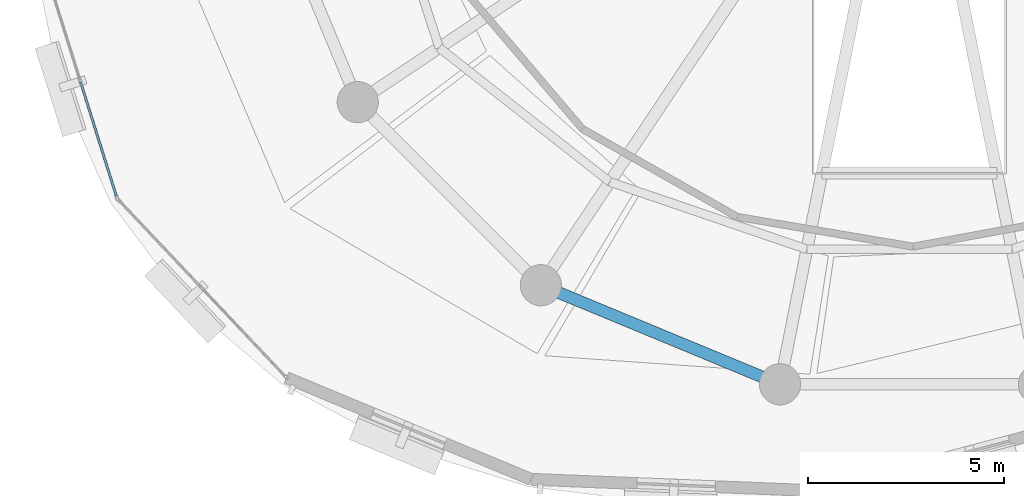
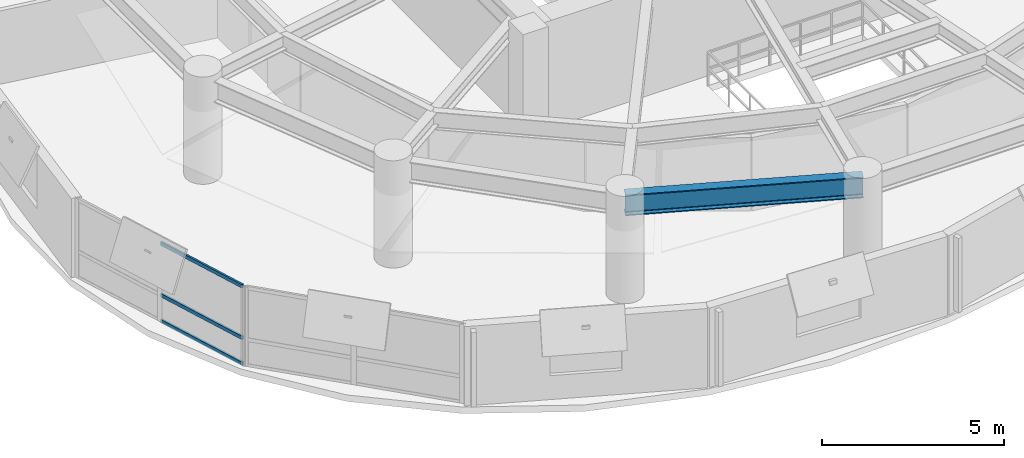
# One storey, part 3 of 14: 3 members, 1 beam, 1 element without a shape of its own.
"""IFC4 building model written with IfcOpenShell, lengths in metres."""

from ifc_helpers import new_model, si_unit, direction, frame, origin, origin_2d, place, context, subcontext, project, spatial, hollow_rectangle, i_section, extrude, material, layer, layer_set, material_profile, profile_set, type_object, element, aggregate, save


model = new_model("IFC4")

# Units and contexts
model_context = context("Model", 3, precision=1e-05, world=origin(), true_north=direction((0.0, 1.0)))
body_context = subcontext(model_context, "Body", "Model", "MODEL_VIEW")
ifc_project = project(units=[si_unit("LENGTHUNIT", "METRE"), si_unit("AREAUNIT", "SQUARE_METRE"), si_unit("VOLUMEUNIT", "CUBIC_METRE"), si_unit("PLANEANGLEUNIT", "RADIAN"), si_unit("MASSUNIT", "GRAM", prefix="KILO"), si_unit("THERMODYNAMICTEMPERATUREUNIT", "KELVIN"), si_unit("POWERUNIT", "WATT")], contexts=[model_context])

# Site, building, storey
site_placement = place(None, origin())
site = spatial("IfcSite", under=ifc_project, at=site_placement, CompositionType="ELEMENT")
building_placement = place(site_placement, origin())
building = spatial("IfcBuilding", under=site, at=building_placement, Name="Ocrelia Relay Tower", CompositionType="ELEMENT")
storey_placement = place(building_placement, frame((0.0, 0.0, 162.800048828125)))
storey = spatial("IfcBuildingStorey", under=building, at=storey_placement, Name="L38", CompositionType="ELEMENT", Elevation=162.800048828125)

# Beam
ifc_material_1 = material(Name="Steel S355", Category="steel")
ifc_material_profile_1 = material_profile(ifc_material_1, i_section(OverallWidth=0.300048828125, OverallDepth=0.699951171875, WebThickness=0.01708984375, FlangeThickness=0.031982421875, FilletRadius=0.027099609375, at=origin_2d()), Name="HEB 700")
ifc_profile_set_1 = profile_set([ifc_material_profile_1], Name="Steel S355")
beam_type = type_object("IfcBeamType", Name="BM-HEB700", PredefinedType="BEAM", material=ifc_profile_set_1)
beam_placement = place(storey_placement, frame((24.61083984375, 11.9482421875, 3.030029296875), z_axis=(0.923877844151, -0.382687508402, 0.0), x_axis=(0.382687508402, 0.923877844151, 0.0)))
element("IfcBeam", 1, at=beam_placement, inside=storey, type_object=beam_type, Name="L38 Perimeter Spandrel Beam S11", PredefinedType="BEAM", context=body_context, shape_type="SweptSolid", body=[
    extrude(i_section(OverallWidth=0.300048828125, OverallDepth=0.699951171875, WebThickness=0.01708984375, FlangeThickness=0.031982421875, FilletRadius=0.027099609375, at=origin_2d()), origin(), (0.0, 0.0, 1.0), 6.593994140625),
])

# Curtain wall, members
ifc_material_2 = material(Name="Aluminium and solar-control low-E glass", Category="aluminium")
ifc_layer = layer(ifc_material_2, 0.179931640625, Name="Aluminium and solar-control low-E glass")
ifc_layer_set = layer_set([ifc_layer], Name="Aluminium and solar-control low-E glass")
curtain_wall_type = type_object("IfcCurtainWallType", Name="CW-SYS-Z3-CLOU", PredefinedType="NOTDEFINED", material=ifc_layer_set)
curtain_wall_placement = place(storey_placement, origin())
curtain_wall = element("IfcCurtainWall", 2, at=curtain_wall_placement, inside=storey, type_object=curtain_wall_type, Name="L38 Elliptical Tower Curtain Wall Bay 09", PredefinedType="NOTDEFINED")
ifc_material_3 = material(Name="Anodised bronze aluminium", Category="aluminium")
ifc_material_profile_2 = material_profile(ifc_material_3, hollow_rectangle(XDim=0.06005859375, YDim=0.1201171875, WallThickness=0.0048828125, at=origin_2d()), Name="CW-TRN-120x60")
ifc_profile_set_2 = profile_set([ifc_material_profile_2], Name="Anodised bronze aluminium")
member_type = type_object("IfcMemberType", Name="CW-SYS-Z3-CLOU-TRN", PredefinedType="USERDEFINED", material=ifc_profile_set_2)
member_1_placement = place(storey_placement, frame((12.886474609375, 17.125, 0.030029296875), z_axis=(0.299407365614, -0.954125374055, 0.0), x_axis=(0.954125374055, 0.299407365614, 0.0)))
member_1 = element("IfcMember", 3, at=member_1_placement, type_object=member_type, Name="CW-Z3 transom 2.1", ObjectType="TRANSOM", PredefinedType="USERDEFINED", context=body_context, shape_type="SweptSolid", body=[
    extrude(hollow_rectangle(XDim=0.06005859375, YDim=0.1201171875, WallThickness=0.0048828125, at=origin_2d()), origin(), (0.0, 0.0, 1.0), 3.0439453125),
])
member_2_placement = place(storey_placement, frame((12.886474609375, 17.125, 0.89990234375), z_axis=(0.299407365614, -0.954125374055, 0.0), x_axis=(0.954125374055, 0.299407365614, 0.0)))
member_2 = element("IfcMember", 4, at=member_2_placement, type_object=member_type, Name="CW-Z3 transom 2.2", ObjectType="TRANSOM", PredefinedType="USERDEFINED", context=body_context, shape_type="SweptSolid", body=[
    extrude(hollow_rectangle(XDim=0.06005859375, YDim=0.1201171875, WallThickness=0.0048828125, at=origin_2d()), origin(), (0.0, 0.0, 1.0), 3.0439453125),
])
member_3_placement = place(storey_placement, frame((12.886474609375, 17.125, 2.6298828125), z_axis=(0.299407365614, -0.954125374055, 0.0), x_axis=(0.954125374055, 0.299407365614, 0.0)))
member_3 = element("IfcMember", 5, at=member_3_placement, type_object=member_type, Name="CW-Z3 transom 2.3", ObjectType="TRANSOM", PredefinedType="USERDEFINED", context=body_context, shape_type="SweptSolid", body=[
    extrude(hollow_rectangle(XDim=0.06005859375, YDim=0.1201171875, WallThickness=0.0048828125, at=origin_2d()), origin(), (0.0, 0.0, 1.0), 3.0439453125),
])
aggregate(curtain_wall, [member_1, member_2, member_3])

save(model, "model.ifc")
